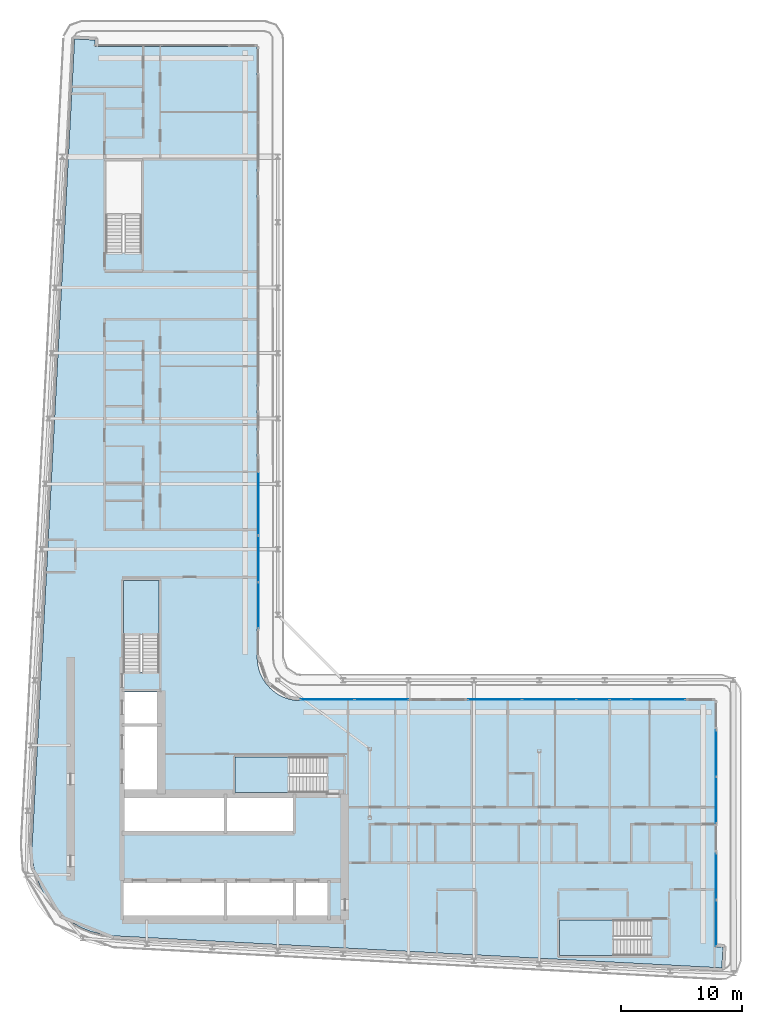
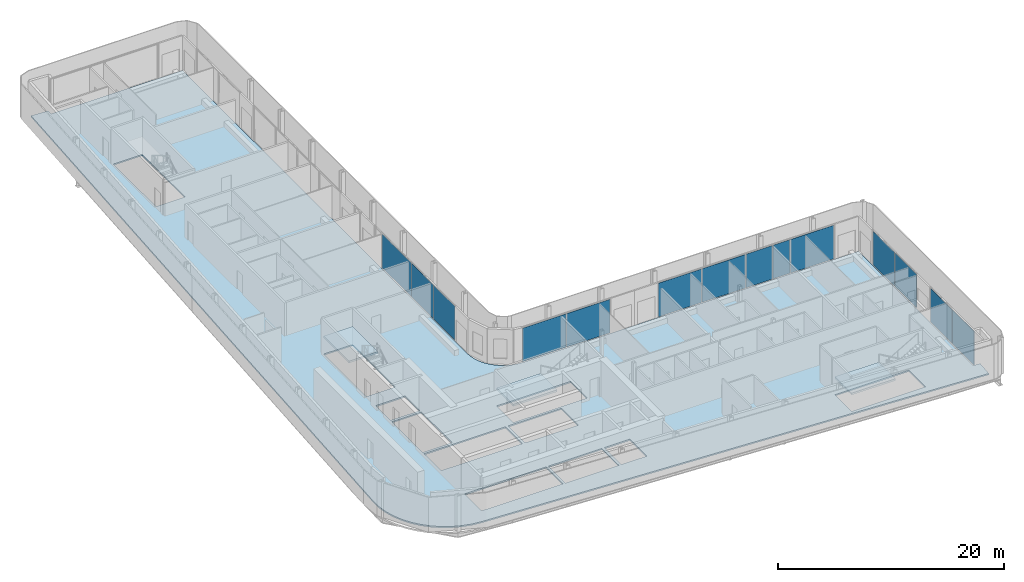
# One storey, part 8 of 22: 14 plates, 4 slabs, 10 elements without a shape of their own.
"""IFC4 building model written with IfcOpenShell, lengths in metres."""

from ifc_helpers import new_model, si_unit, direction, frame, origin, origin_2d, place, context, subcontext, project, spatial, polyline, rectangle, outline, extrude, material, layer, layer_set, type_object, element, aggregate, save


model = new_model("IFC4")

# Units and contexts
model_context = context("Model", 3, precision=1e-05, world=origin(), true_north=direction((0.0, 1.0)))
body_context = subcontext(model_context, "Body", "Model", "MODEL_VIEW")
ifc_project = project(units=[si_unit("LENGTHUNIT", "METRE"), si_unit("AREAUNIT", "SQUARE_METRE"), si_unit("VOLUMEUNIT", "CUBIC_METRE"), si_unit("PLANEANGLEUNIT", "RADIAN"), si_unit("MASSUNIT", "GRAM", prefix="KILO")], contexts=[model_context])

# Site, building, storey
site_placement = place(None, origin())
site = spatial("IfcSite", under=ifc_project, at=site_placement, CompositionType="ELEMENT")
building_placement = place(site_placement, origin())
building = spatial("IfcBuilding", under=site, at=building_placement, Name="Kheshtan School and Residences Tower", CompositionType="ELEMENT")
storey_placement = place(building_placement, frame((0.0, 0.0, 251.300048828125)))
storey = spatial("IfcBuildingStorey", under=building, at=storey_placement, Name="L59", CompositionType="ELEMENT", Elevation=251.300048828125)

# Curtain wall, plate
ifc_material_1 = material(Name="Clear low-e glass in thermally broken aluminium frame", Category="aluminium")
ifc_layer_1 = layer(ifc_material_1, 0.199951171875)
ifc_layer_set_1 = layer_set([ifc_layer_1], Name="Curtain wall CW-L")
curtain_wall_type = type_object("IfcCurtainWallType", Name="Curtain wall CW-L", PredefinedType="NOTDEFINED", material=ifc_layer_set_1)
curtain_wall_1_placement = place(storey_placement, origin())
curtain_wall_1 = element("IfcCurtainWall", 1, at=curtain_wall_1_placement, inside=storey, type_object=curtain_wall_type, Name="Curtain wall CWL8k", PredefinedType="NOTDEFINED")
ifc_layer_2 = layer(ifc_material_1, 0.031982421875)
ifc_layer_set_2 = layer_set([ifc_layer_2], Name="CW-L glass panel")
plate_type = type_object("IfcPlateType", Name="CW-L glass panel", PredefinedType="CURTAIN_PANEL", material=ifc_layer_set_2)
plate_1_placement = place(storey_placement, frame((46.0, 60.177001953125, 0.0), z_axis=(0.0, 0.0, 1.0), x_axis=(0.0, -1.0, 0.0)))
plate_1 = element("IfcPlate", 2, at=plate_1_placement, type_object=plate_type, Name="CWL8k panel 2.1", PredefinedType="CURTAIN_PANEL", context=body_context, shape_type="SweptSolid", body=[
    extrude(rectangle(XDim=5.18603515625, YDim=0.031982421875, at=origin_2d()), origin(), (0.0, 0.0, 1.0), 3.6298828125),
])
aggregate(curtain_wall_1, [plate_1])

# Curtain wall, plates
curtain_wall_2_placement = place(storey_placement, origin())
curtain_wall_2 = element("IfcCurtainWall", 3, at=curtain_wall_2_placement, inside=storey, type_object=curtain_wall_type, Name="Curtain wall CWL8", PredefinedType="NOTDEFINED")
plate_2_placement = place(storey_placement, frame((46.0, 55.615478515625, 0.0), z_axis=(0.0, 0.0, 1.0), x_axis=(0.0, -1.0, 0.0)))
plate_2 = element("IfcPlate", 4, at=plate_2_placement, type_object=plate_type, Name="CWL8 panel 1.1", PredefinedType="CURTAIN_PANEL", context=body_context, shape_type="SweptSolid", body=[
    extrude(rectangle(XDim=3.81689453125, YDim=0.031982421875, at=origin_2d()), origin(), (0.0, 0.0, 1.0), 3.6298828125),
])
plate_3_placement = place(storey_placement, frame((46.0, 51.7685546875, 0.0), z_axis=(0.0, 0.0, 1.0), x_axis=(0.0, -1.0, 0.0)))
plate_3 = element("IfcPlate", 5, at=plate_3_placement, type_object=plate_type, Name="CWL8 panel 2.1", PredefinedType="CURTAIN_PANEL", context=body_context, shape_type="SweptSolid", body=[
    extrude(rectangle(XDim=3.757080078125, YDim=0.031982421875, at=origin_2d()), origin(), (0.0, 0.0, 1.0), 3.6298828125),
])
aggregate(curtain_wall_2, [plate_2, plate_3])

curtain_wall_3_placement = place(storey_placement, origin())
curtain_wall_3 = element("IfcCurtainWall", 6, at=curtain_wall_3_placement, inside=storey, type_object=curtain_wall_type, Name="Curtain wall CWL1231", PredefinedType="NOTDEFINED")
plate_4_placement = place(storey_placement, frame((51.700927734375, 44.0, 0.0), z_axis=(0.0, 0.0, 1.0), x_axis=(1.0, 0.0, 0.0)))
plate_4 = element("IfcPlate", 7, at=plate_4_placement, type_object=plate_type, Name="CWL1231 panel 1.1", PredefinedType="CURTAIN_PANEL", context=body_context, shape_type="SweptSolid", body=[
    extrude(rectangle(XDim=4.421630859375, YDim=0.031982421875, at=origin_2d()), origin(), (0.0, 0.0, 1.0), 3.6298828125),
])
plate_5_placement = place(storey_placement, frame((56.1826171875, 44.0, 0.0), z_axis=(0.0, 0.0, 1.0), x_axis=(1.0, 0.0, 0.0)))
plate_5 = element("IfcPlate", 8, at=plate_5_placement, type_object=plate_type, Name="CWL1231 panel 2.1", PredefinedType="CURTAIN_PANEL", context=body_context, shape_type="SweptSolid", body=[
    extrude(rectangle(XDim=4.421630859375, YDim=0.031982421875, at=origin_2d()), origin(), (0.0, 0.0, 1.0), 3.6298828125),
])
aggregate(curtain_wall_3, [plate_4, plate_5])

curtain_wall_4_placement = place(storey_placement, origin())
curtain_wall_4 = element("IfcCurtainWall", 9, at=curtain_wall_4_placement, inside=storey, type_object=curtain_wall_type, Name="Curtain wall CWL1231", PredefinedType="NOTDEFINED")
plate_6_placement = place(storey_placement, frame((65.524169921875, 44.0, 0.0), z_axis=(0.0, 0.0, 1.0), x_axis=(1.0, 0.0, 0.0)))
plate_6 = element("IfcPlate", 10, at=plate_6_placement, type_object=plate_type, Name="CWL1231 panel 1.1", PredefinedType="CURTAIN_PANEL", context=body_context, shape_type="SweptSolid", body=[
    extrude(rectangle(XDim=4.421630859375, YDim=0.031982421875, at=origin_2d()), origin(), (0.0, 0.0, 1.0), 3.6298828125),
])
plate_7_placement = place(storey_placement, frame((70.005859375, 44.0, 0.0), z_axis=(0.0, 0.0, 1.0), x_axis=(1.0, 0.0, 0.0)))
plate_7 = element("IfcPlate", 11, at=plate_7_placement, type_object=plate_type, Name="CWL1231 panel 2.1", PredefinedType="CURTAIN_PANEL", context=body_context, shape_type="SweptSolid", body=[
    extrude(rectangle(XDim=4.421630859375, YDim=0.031982421875, at=origin_2d()), origin(), (0.0, 0.0, 1.0), 3.6298828125),
])
aggregate(curtain_wall_4, [plate_6, plate_7])

curtain_wall_5_placement = place(storey_placement, origin())
curtain_wall_5 = element("IfcCurtainWall", 12, at=curtain_wall_5_placement, inside=storey, type_object=curtain_wall_type, Name="Curtain wall CWL1228", PredefinedType="NOTDEFINED")
plate_8_placement = place(storey_placement, frame((73.623291015625, 44.0, 0.0), z_axis=(0.0, 0.0, 1.0), x_axis=(1.0, 0.0, 0.0)))
plate_8 = element("IfcPlate", 13, at=plate_8_placement, type_object=plate_type, Name="CWL1228 panel 1.1", PredefinedType="CURTAIN_PANEL", context=body_context, shape_type="SweptSolid", body=[
    extrude(rectangle(XDim=2.693359375, YDim=0.031982421875, at=origin_2d()), origin(), (0.0, 0.0, 1.0), 3.6298828125),
])
plate_9_placement = place(storey_placement, frame((75.89404296875, 44.0, 0.0), z_axis=(0.0, 0.0, 1.0), x_axis=(1.0, 0.0, 0.0)))
plate_9 = element("IfcPlate", 14, at=plate_9_placement, type_object=plate_type, Name="CWL1228 panel 2.1", PredefinedType="CURTAIN_PANEL", context=body_context, shape_type="SweptSolid", body=[
    extrude(rectangle(XDim=1.728271484375, YDim=0.031982421875, at=origin_2d()), origin(), (0.0, 0.0, 1.0), 3.6298828125),
])
plate_10_placement = place(storey_placement, frame((79.029052734375, 44.0, 0.0), z_axis=(0.0, 0.0, 1.0), x_axis=(1.0, 0.0, 0.0)))
plate_10 = element("IfcPlate", 15, at=plate_10_placement, type_object=plate_type, Name="CWL1228 panel 3.1", PredefinedType="CURTAIN_PANEL", context=body_context, shape_type="SweptSolid", body=[
    extrude(rectangle(XDim=4.421630859375, YDim=0.031982421875, at=origin_2d()), origin(), (0.0, 0.0, 1.0), 3.6298828125),
])
aggregate(curtain_wall_5, [plate_8, plate_9, plate_10])

curtain_wall_6_placement = place(storey_placement, origin())
curtain_wall_6 = element("IfcCurtainWall", 16, at=curtain_wall_6_placement, inside=storey, type_object=curtain_wall_type, Name="Curtain wall CWL13c", PredefinedType="NOTDEFINED")
plate_11_placement = place(storey_placement, frame((83.800048828125, 39.54345703125, 0.0), z_axis=(0.0, 0.0, 1.0), x_axis=(0.0, -1.0, 0.0)))
plate_11 = element("IfcPlate", 17, at=plate_11_placement, type_object=plate_type, Name="CWL13c panel 1.1", PredefinedType="CURTAIN_PANEL", context=body_context, shape_type="SweptSolid", body=[
    extrude(rectangle(XDim=3.793212890625, YDim=0.031982421875, at=origin_2d()), origin(), (0.0, 0.0, 1.0), 3.6298828125),
])
plate_12_placement = place(storey_placement, frame((83.800048828125, 35.690185546875, 0.0), z_axis=(0.0, 0.0, 1.0), x_axis=(0.0, -1.0, 0.0)))
plate_12 = element("IfcPlate", 18, at=plate_12_placement, type_object=plate_type, Name="CWL13c panel 2.1", PredefinedType="CURTAIN_PANEL", context=body_context, shape_type="SweptSolid", body=[
    extrude(rectangle(XDim=3.793212890625, YDim=0.031982421875, at=origin_2d()), origin(), (0.0, 0.0, 1.0), 3.6298828125),
])
aggregate(curtain_wall_6, [plate_11, plate_12])

curtain_wall_7_placement = place(storey_placement, origin())
curtain_wall_7 = element("IfcCurtainWall", 19, at=curtain_wall_7_placement, inside=storey, type_object=curtain_wall_type, Name="Curtain wall CWL13c", PredefinedType="NOTDEFINED")
plate_13_placement = place(storey_placement, frame((83.800048828125, 29.376953125, 0.0), z_axis=(0.0, 0.0, 1.0), x_axis=(0.0, -1.0, 0.0)))
plate_13 = element("IfcPlate", 20, at=plate_13_placement, type_object=plate_type, Name="CWL13c panel 1.1", PredefinedType="CURTAIN_PANEL", context=body_context, shape_type="SweptSolid", body=[
    extrude(rectangle(XDim=3.793212890625, YDim=0.031982421875, at=origin_2d()), origin(), (0.0, 0.0, 1.0), 3.6298828125),
])
plate_14_placement = place(storey_placement, frame((83.800048828125, 25.523681640625, 0.0), z_axis=(0.0, 0.0, 1.0), x_axis=(0.0, -1.0, 0.0)))
plate_14 = element("IfcPlate", 21, at=plate_14_placement, type_object=plate_type, Name="CWL13c panel 2.1", PredefinedType="CURTAIN_PANEL", context=body_context, shape_type="SweptSolid", body=[
    extrude(rectangle(XDim=3.793212890625, YDim=0.031982421875, at=origin_2d()), origin(), (0.0, 0.0, 1.0), 3.6298828125),
])
aggregate(curtain_wall_7, [plate_13, plate_14])

# Slab
ifc_material_2 = material(Name="Concrete C40/50", Category="concrete")
ifc_layer_3 = layer(ifc_material_2, 0.14990234375)
ifc_layer_set_3 = layer_set([ifc_layer_3], Name="Floor slab 150 Concrete C40/50")
slab_type_1 = type_object("IfcSlabType", Name="Floor slab 150 Concrete C40/50", PredefinedType="FLOOR", material=ifc_layer_set_3)
slab_1_placement = place(storey_placement, frame((0.0, 0.0, -0.150146484375)))
element("IfcSlab", 22, at=slab_1_placement, inside=storey, type_object=slab_type_1, Name="Floor slab L59", PredefinedType="FLOOR", context=body_context, shape_type="SweptSolid", body=[
    extrude(outline(polyline([(28.0849609375, 28.345947265625), (27.718017578125, 29.200927734375), (27.466064453125, 30.093017578125), (27.466064453125, 30.093994140625), (27.3330078125, 31.013916015625), (27.320068359375, 31.965087890625), (27.320068359375, 31.970947265625), (30.822021484375, 98.5009765625), (30.822998046875, 98.508056640625), (30.825927734375, 98.531005859375), (30.825927734375, 98.531982421875), (30.826904296875, 98.531982421875), (31.422119140625, 98.5), (31.423095703125, 98.5), (31.423095703125, 98.4990234375), (31.423095703125, 98.4951171875), (31.423095703125, 98.493896484375), (31.424072265625, 98.493896484375), (31.424072265625, 98.492919921875), (31.425048828125, 98.492919921875), (31.426025390625, 98.492919921875), (31.426025390625, 98.493896484375), (31.427978515625, 98.49609375), (31.428955078125, 98.4970703125), (31.429931640625, 98.498046875), (31.430908203125, 98.498046875), (31.430908203125, 98.4990234375), (31.431884765625, 98.4990234375), (31.431884765625, 98.5), (31.43505859375, 98.5009765625), (31.43603515625, 98.501953125), (31.43896484375, 98.501953125), (31.43994140625, 98.501953125), (31.43994140625, 98.5029296875), (31.44091796875, 98.5029296875), (31.446044921875, 98.5029296875), (32.5009765625, 98.447021484375), (32.50390625, 98.447021484375), (32.5048828125, 98.447021484375), (32.5048828125, 98.446044921875), (32.506103515625, 98.446044921875), (32.510009765625, 98.446044921875), (32.510009765625, 98.445068359375), (32.510986328125, 98.445068359375), (32.510986328125, 98.444091796875), (32.511962890625, 98.444091796875), (32.511962890625, 98.443115234375), (32.512939453125, 98.443115234375), (32.513916015625, 98.443115234375), (32.513916015625, 98.44189453125), (32.514892578125, 98.44189453125), (32.51611328125, 98.44189453125), (32.51904296875, 98.43896484375), (32.51904296875, 98.43798828125), (32.51904296875, 98.43701171875), (32.52001953125, 98.43701171875), (32.52001953125, 98.43603515625), (32.52099609375, 98.43603515625), (32.52099609375, 98.43408203125), (32.52099609375, 98.43310546875), (32.52197265625, 98.43310546875), (32.52197265625, 98.431884765625), (32.52294921875, 98.431884765625), (32.52294921875, 98.430908203125), (32.52294921875, 98.428955078125), (32.52294921875, 98.427978515625), (32.52392578125, 98.427978515625), (32.52392578125, 98.427001953125), (32.52392578125, 98.422119140625), (32.4970703125, 97.9208984375), (32.4970703125, 97.91796875), (32.4970703125, 97.9169921875), (32.49609375, 97.9169921875), (32.49609375, 97.916015625), (32.49609375, 97.912109375), (32.4951171875, 97.910888671875), (32.4951171875, 97.909912109375), (32.493896484375, 97.909912109375), (32.493896484375, 97.908935546875), (32.492919921875, 97.908935546875), (32.492919921875, 97.907958984375), (32.489013671875, 97.904052734375), (32.488037109375, 97.904052734375), (32.488037109375, 97.903076171875), (32.488037109375, 97.902099609375), (32.488037109375, 97.90087890625), (32.489013671875, 97.90087890625), (32.489013671875, 97.89990234375), (32.489990234375, 97.89990234375), (45.85498046875, 97.89990234375), (45.864990234375, 97.89794921875), (45.865966796875, 97.89794921875), (45.868896484375, 97.89599609375), (45.8740234375, 97.89404296875), (45.8779296875, 97.89208984375), (45.881103515625, 97.889892578125), (45.881103515625, 97.888916015625), (45.882080078125, 97.888916015625), (45.882080078125, 97.887939453125), (45.883056640625, 97.887939453125), (45.884033203125, 97.885009765625), (45.885009765625, 97.885009765625), (45.885009765625, 97.884033203125), (45.887939453125, 97.883056640625), (45.887939453125, 97.882080078125), (45.888916015625, 97.882080078125), (45.888916015625, 97.881103515625), (45.889892578125, 97.881103515625), (45.89208984375, 97.8779296875), (45.89404296875, 97.8740234375), (45.89599609375, 97.868896484375), (45.89794921875, 97.865966796875), (45.89794921875, 97.864990234375), (45.89990234375, 97.85498046875), (45.89990234375, 47.429931640625), (45.927001953125, 47.030029296875), (46.01806640625, 46.570068359375), (46.01806640625, 46.569091796875), (46.169921875, 46.1201171875), (46.37890625, 45.697021484375), (46.638916015625, 45.30810546875), (46.949951171875, 44.950927734375), (46.950927734375, 44.949951171875), (47.30810546875, 44.638916015625), (47.697021484375, 44.37890625), (48.1201171875, 44.169921875), (48.569091796875, 44.01806640625), (48.570068359375, 44.01806640625), (49.030029296875, 43.927001953125), (49.429931640625, 43.89990234375), (83.655029296875, 43.89990234375), (83.659912109375, 43.89892578125), (83.6650390625, 43.89794921875), (83.666015625, 43.89794921875), (83.6689453125, 43.89599609375), (83.674072265625, 43.89404296875), (83.677978515625, 43.89208984375), (83.680908203125, 43.889892578125), (83.680908203125, 43.888916015625), (83.681884765625, 43.888916015625), (83.681884765625, 43.887939453125), (83.68310546875, 43.887939453125), (83.68408203125, 43.885009765625), (83.68505859375, 43.885009765625), (83.68505859375, 43.884033203125), (83.68798828125, 43.883056640625), (83.68798828125, 43.882080078125), (83.68896484375, 43.882080078125), (83.68896484375, 43.881103515625), (83.68994140625, 43.881103515625), (83.69189453125, 43.8779296875), (83.694091796875, 43.8740234375), (83.696044921875, 43.868896484375), (83.697998046875, 43.865966796875), (83.697998046875, 43.864990234375), (83.699951171875, 43.85498046875), (83.699951171875, 23.56201171875), (83.699951171875, 23.56103515625), (83.700927734375, 23.56103515625), (83.700927734375, 23.56005859375), (83.701904296875, 23.56005859375), (83.702880859375, 23.56005859375), (83.702880859375, 23.56103515625), (83.705078125, 23.56298828125), (83.7060546875, 23.56396484375), (83.70703125, 23.56494140625), (83.7080078125, 23.56494140625), (83.7080078125, 23.56591796875), (83.708984375, 23.56591796875), (83.708984375, 23.56689453125), (83.7099609375, 23.56689453125), (83.712890625, 23.569091796875), (83.716064453125, 23.569091796875), (83.717041015625, 23.569091796875), (83.717041015625, 23.570068359375), (83.718017578125, 23.570068359375), (83.722900390625, 23.570068359375), (84.337890625, 23.537109375), (84.341064453125, 23.537109375), (84.342041015625, 23.537109375), (84.342041015625, 23.535888671875), (84.343017578125, 23.535888671875), (84.346923828125, 23.535888671875), (84.346923828125, 23.534912109375), (84.347900390625, 23.534912109375), (84.347900390625, 23.533935546875), (84.34912109375, 23.533935546875), (84.34912109375, 23.532958984375), (84.35009765625, 23.532958984375), (84.35107421875, 23.532958984375), (84.35107421875, 23.531982421875), (84.35205078125, 23.531982421875), (84.35302734375, 23.531982421875), (84.35302734375, 23.531005859375), (84.35498046875, 23.529052734375), (84.35595703125, 23.529052734375), (84.35595703125, 23.528076171875), (84.35595703125, 23.527099609375), (84.35693359375, 23.527099609375), (84.35693359375, 23.52587890625), (84.35791015625, 23.52587890625), (84.35791015625, 23.52490234375), (84.35791015625, 23.52392578125), (84.35791015625, 23.52294921875), (84.35888671875, 23.52294921875), (84.35888671875, 23.52197265625), (84.360107421875, 23.52197265625), (84.360107421875, 23.52099609375), (84.360107421875, 23.51904296875), (84.360107421875, 23.51806640625), (84.361083984375, 23.51806640625), (84.361083984375, 23.51708984375), (84.361083984375, 23.511962890625), (84.304931640625, 22.455078125), (84.304931640625, 22.451904296875), (84.304931640625, 22.450927734375), (84.303955078125, 22.450927734375), (84.303955078125, 22.449951171875), (84.303955078125, 22.446044921875), (84.302978515625, 22.445068359375), (84.302978515625, 22.444091796875), (84.302001953125, 22.444091796875), (84.302001953125, 22.443115234375), (84.301025390625, 22.443115234375), (84.301025390625, 22.44189453125), (84.300048828125, 22.44091796875), (84.298095703125, 22.43896484375), (84.297119140625, 22.43798828125), (84.2958984375, 22.43798828125), (84.2958984375, 22.43701171875), (84.2958984375, 22.43603515625), (84.2958984375, 22.43505859375), (84.297119140625, 22.43505859375), (84.297119140625, 22.43408203125), (84.298095703125, 22.43408203125), (84.299072265625, 22.43408203125), (84.300048828125, 22.43408203125), (84.300048828125, 22.43310546875), (84.26806640625, 21.837890625), (84.26806640625, 21.8369140625), (84.26708984375, 21.8369140625), (84.242919921875, 21.8359375), (84.238037109375, 21.8359375), (34.056884765625, 24.47802734375), (33.114990234375, 24.590087890625), (32.215087890625, 24.819091796875), (32.214111328125, 24.819091796875), (31.35205078125, 25.1630859375), (30.541015625, 25.616943359375), (29.799072265625, 26.1708984375), (29.799072265625, 26.172119140625), (29.798095703125, 26.172119140625), (29.134033203125, 26.820068359375), (29.134033203125, 26.821044921875), (29.133056640625, 26.821044921875), (28.55908203125, 27.550048828125), (28.0849609375, 28.345947265625)]), holes=[polyline([(83.699951171875, 22.44091796875), (83.699951171875, 22.43994140625), (83.699951171875, 22.43603515625), (83.699951171875, 22.43505859375), (83.700927734375, 22.43505859375), (83.700927734375, 22.43408203125), (83.701904296875, 22.43408203125), (83.7060546875, 22.43408203125), (83.70703125, 22.43408203125), (83.70703125, 22.43505859375), (83.7080078125, 22.43505859375), (83.7080078125, 22.43603515625), (83.7080078125, 22.43701171875), (83.70703125, 22.43701171875), (83.7060546875, 22.43798828125), (83.7041015625, 22.43994140625), (83.702880859375, 22.44091796875), (83.702880859375, 22.44189453125), (83.701904296875, 22.44189453125), (83.700927734375, 22.44189453125), (83.700927734375, 22.44091796875), (83.699951171875, 22.44091796875)]), polyline([(31.423095703125, 97.906982421875), (31.423095703125, 97.906005859375), (31.423095703125, 97.902099609375), (31.423095703125, 97.90087890625), (31.424072265625, 97.90087890625), (31.424072265625, 97.89990234375), (31.425048828125, 97.89990234375), (31.428955078125, 97.89990234375), (31.429931640625, 97.89990234375), (31.429931640625, 97.90087890625), (31.430908203125, 97.90087890625), (31.430908203125, 97.902099609375), (31.430908203125, 97.903076171875), (31.429931640625, 97.903076171875), (31.428955078125, 97.904052734375), (31.427978515625, 97.905029296875), (31.427001953125, 97.906005859375), (31.426025390625, 97.906982421875), (31.426025390625, 97.907958984375), (31.425048828125, 97.907958984375), (31.424072265625, 97.907958984375), (31.424072265625, 97.906982421875), (31.423095703125, 97.906982421875)]), polyline([(43.175048828125, 28.925048828125), (34.875, 28.925048828125), (34.875, 25.925048828125), (43.175048828125, 25.925048828125), (43.175048828125, 28.925048828125)]), polyline([(43.175048828125, 36.074951171875), (34.875, 36.074951171875), (34.875, 33.074951171875), (43.175048828125, 33.074951171875), (43.175048828125, 36.074951171875)]), polyline([(34.875, 41.77490234375), (34.875, 36.324951171875), (37.875, 36.324951171875), (37.875, 41.77490234375), (34.875, 41.77490234375)]), polyline([(37.875, 44.625), (34.875, 44.625), (34.875, 42.02490234375), (37.875, 42.02490234375), (37.875, 44.625)]), polyline([(36.25, 46.25), (37.800048828125, 46.25), (37.800048828125, 53.81005859375), (34.85009765625, 53.81005859375), (34.85009765625, 46.260009765625), (36.25, 46.260009765625), (36.25, 46.25)]), polyline([(33.39990234375, 88.4599609375), (33.39990234375, 80.909912109375), (34.800048828125, 80.909912109375), (34.800048828125, 80.89990234375), (36.35009765625, 80.89990234375), (36.35009765625, 88.4599609375), (33.39990234375, 88.4599609375)]), polyline([(70.85009765625, 25.800048828125), (70.85009765625, 22.85009765625), (78.39990234375, 22.85009765625), (78.39990234375, 24.25), (78.409912109375, 24.25), (78.409912109375, 25.800048828125), (70.85009765625, 25.800048828125)]), polyline([(43.425048828125, 28.925048828125), (43.425048828125, 25.925048828125), (48.875, 25.925048828125), (48.875, 28.925048828125), (43.425048828125, 28.925048828125)]), polyline([(49.125, 28.925048828125), (49.125, 25.925048828125), (51.72509765625, 25.925048828125), (51.72509765625, 28.925048828125), (49.125, 28.925048828125)]), polyline([(43.425048828125, 36.074951171875), (43.425048828125, 33.074951171875), (48.875, 33.074951171875), (48.875, 36.074951171875), (43.425048828125, 36.074951171875)]), polyline([(51.64990234375, 37.699951171875), (51.64990234375, 39.25), (44.090087890625, 39.25), (44.090087890625, 36.300048828125), (51.639892578125, 36.300048828125), (51.639892578125, 37.699951171875), (51.64990234375, 37.699951171875)])]), origin(), (0.0, 0.0, 1.0), 0.150146484375),
])

# Stair, slab
stair_type = type_object("IfcStairType", Name="Exit stair, half-turn", PredefinedType="HALF_TURN_STAIR", material=ifc_material_2)
stair_1_placement = place(storey_placement, origin())
stair_1 = element("IfcStair", 23, at=stair_1_placement, inside=storey, type_object=stair_type, Name="L59 Protected Exit Stair ST1", PredefinedType="HALF_TURN_STAIR")
ifc_layer_4 = layer(ifc_material_2, 0.199951171875)
ifc_layer_set_4 = layer_set([ifc_layer_4], Name="Stair landing 200 Concrete C40/50")
slab_type_2 = type_object("IfcSlabType", Name="Stair landing 200 Concrete C40/50", PredefinedType="LANDING", material=ifc_layer_set_4)
slab_2_placement = place(storey_placement, frame((0.0, 0.0, 1.75)))
slab_2 = element("IfcSlab", 24, at=slab_2_placement, type_object=slab_type_2, Name="ST1 landing 1", PredefinedType="LANDING", context=body_context, shape_type="SweptSolid", body=[
    extrude(outline(polyline([(48.570068359375, 39.25), (44.090087890625, 39.25), (44.090087890625, 36.300048828125), (48.570068359375, 36.300048828125), (48.570068359375, 39.25)])), origin(), (0.0, 0.0, 1.0), 0.199951171875),
])
aggregate(stair_1, [slab_2])

stair_2_placement = place(storey_placement, origin())
stair_2 = element("IfcStair", 25, at=stair_2_placement, inside=storey, type_object=stair_type, Name="L59 Protected Exit Stair ST2", PredefinedType="HALF_TURN_STAIR")
slab_3_placement = place(storey_placement, frame((0.0, 0.0, 1.75)))
slab_3 = element("IfcSlab", 26, at=slab_3_placement, type_object=slab_type_2, Name="ST2 landing 1", PredefinedType="LANDING", context=body_context, shape_type="SweptSolid", body=[
    extrude(outline(polyline([(37.800048828125, 49.330078125), (37.800048828125, 53.81005859375), (34.85009765625, 53.81005859375), (34.85009765625, 49.330078125), (37.800048828125, 49.330078125)])), origin(), (0.0, 0.0, 1.0), 0.199951171875),
])
aggregate(stair_2, [slab_3])

stair_3_placement = place(storey_placement, origin())
stair_3 = element("IfcStair", 27, at=stair_3_placement, inside=storey, type_object=stair_type, Name="L59 Protected Exit Stair ST5", PredefinedType="HALF_TURN_STAIR")
slab_4_placement = place(storey_placement, frame((0.0, 0.0, 1.75)))
slab_4 = element("IfcSlab", 28, at=slab_4_placement, type_object=slab_type_2, Name="ST5 landing 1", PredefinedType="LANDING", context=body_context, shape_type="SweptSolid", body=[
    extrude(outline(polyline([(75.330078125, 25.800048828125), (70.85009765625, 25.800048828125), (70.85009765625, 22.85009765625), (75.330078125, 22.85009765625), (75.330078125, 25.800048828125)])), origin(), (0.0, 0.0, 1.0), 0.199951171875),
])
aggregate(stair_3, [slab_4])

save(model, "model.ifc")
